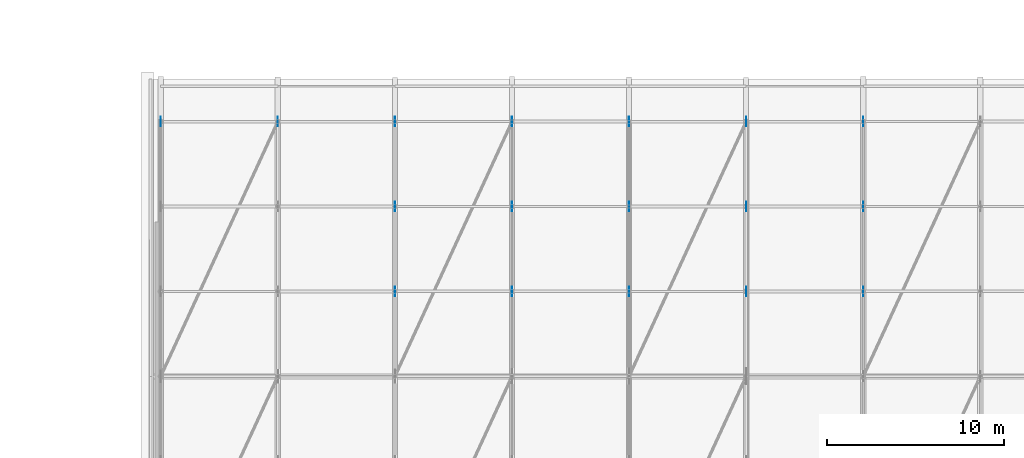
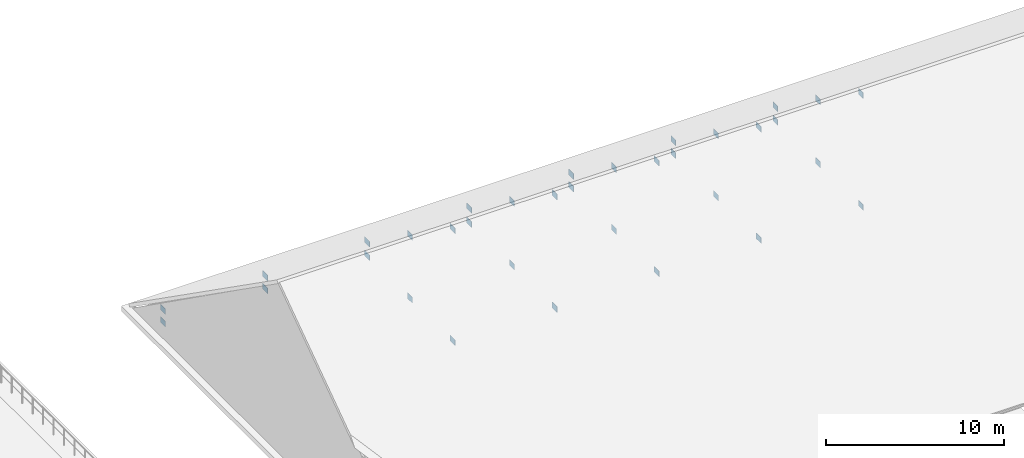
# One storey, part 110 of 134: 34 plates.
"""IFC4 building model written with IfcOpenShell, lengths in metres."""

from ifc_helpers import new_model, si_unit, direction, frame, origin, origin_2d, place, context, subcontext, project, spatial, rectangle, extrude, material, layer, layer_set, type_object, element, save


model = new_model("IFC4")

# Units and contexts
model_context = context("Model", 3, precision=1e-05, world=origin(), true_north=direction((0.0, 1.0)))
body_context = subcontext(model_context, "Body", "Model", "MODEL_VIEW")
ifc_project = project(units=[si_unit("LENGTHUNIT", "METRE"), si_unit("AREAUNIT", "SQUARE_METRE"), si_unit("VOLUMEUNIT", "CUBIC_METRE"), si_unit("PLANEANGLEUNIT", "RADIAN"), si_unit("MASSUNIT", "GRAM", prefix="KILO")], contexts=[model_context])

# Site, building, storey
site_placement = place(None, origin())
site = spatial("IfcSite", under=ifc_project, at=site_placement, CompositionType="ELEMENT")
building_placement = place(site_placement, origin())
building = spatial("IfcBuilding", under=site, at=building_placement, Name="Asteropetra Specialist Clinic", CompositionType="ELEMENT")
storey_placement = place(building_placement, frame((0.0, 0.0, 8.5)))
storey = spatial("IfcBuildingStorey", under=building, at=storey_placement, Name="L02", CompositionType="ELEMENT", Elevation=8.5)

# Plates
ifc_material = material(Name="Steel S355", Category="steel")
ifc_layer = layer(ifc_material, 0.01806640625)
ifc_layer_set = layer_set([ifc_layer], Name="Steel S355")
plate_type = type_object("IfcPlateType", Name="PLT-GUS-08", PredefinedType="SHEET", material=ifc_layer_set)
for number, where, z_axis, x_axis, name in (
    (1, (86.89990234375, 105.60009765625, 0.295166015625), (0.0, 0.0, 1.0), (1.0, 0.0, 0.0), "Truss Bottom Chord Gusset GPB-V101-6"),
    (2, (86.89990234375, 105.60009765625, 1.146728515625), (0.0, 0.0, 1.0), (1.0, 0.0, 0.0), "Truss Top Chord Gusset GPT-V101-6"),
    (3, (93.52001953125, 105.60009765625, 0.27001953125), (0.0, 0.0, 1.0), (1.0, 0.0, 0.0), "Truss Bottom Chord Gusset GPB-V102-6"),
    (4, (93.52001953125, 105.60009765625, 1.146728515625), (0.0, 0.0, 1.0), (1.0, 0.0, 0.0), "Truss Top Chord Gusset GPT-V102-6"),
    (5, (100.139892578125, 96.0, 0.219970703125), (0.0, 0.0, 1.0), (1.0, 0.0, 0.0), "Truss Bottom Chord Gusset GPB-V103-4"),
    (6, (100.139892578125, 96.0, 7.8896484375), (0.0, 0.0, 1.0), (1.0, 0.0, 0.0), "Truss Top Chord Gusset GPT-V103-4"),
    (7, (100.139892578125, 100.800048828125, 0.219970703125), (0.0, 0.0, 1.0), (1.0, 0.0, 0.0), "Truss Bottom Chord Gusset GPB-V103-5"),
    (8, (100.139892578125, 100.800048828125, 4.51806640625), (0.0, 0.0, 1.0), (1.0, 0.0, 0.0), "Truss Top Chord Gusset GPT-V103-5"),
    (9, (100.139892578125, 105.60009765625, 0.219970703125), (0.0, 0.0, 1.0), (1.0, 0.0, 0.0), "Truss Bottom Chord Gusset GPB-V103-6"),
    (10, (100.139892578125, 105.60009765625, 1.146728515625), (0.0, 0.0, 1.0), (1.0, 0.0, 0.0), "Truss Top Chord Gusset GPT-V103-6"),
    (11, (106.760009765625, 96.0, 0.170166015625), (0.0, 0.0, 1.0), (1.0, 0.0, 0.0), "Truss Bottom Chord Gusset GPB-V104-4"),
    (12, (106.760009765625, 96.0, 7.8896484375), (0.0, 0.0, 1.0), (1.0, 0.0, 0.0), "Truss Top Chord Gusset GPT-V104-4"),
    (13, (106.760009765625, 100.800048828125, 0.170166015625), (0.0, 0.0, 1.0), (1.0, 0.0, 0.0), "Truss Bottom Chord Gusset GPB-V104-5"),
    (14, (106.760009765625, 100.800048828125, 4.51806640625), (0.0, 0.0, 1.0), (1.0, 0.0, 0.0), "Truss Top Chord Gusset GPT-V104-5"),
    (15, (106.760009765625, 105.60009765625, 0.170166015625), (0.0, 0.0, 1.0), (1.0, 0.0, 0.0), "Truss Bottom Chord Gusset GPB-V104-6"),
    (16, (106.760009765625, 105.60009765625, 1.146728515625), (0.0, 0.0, 1.0), (1.0, 0.0, 0.0), "Truss Top Chord Gusset GPT-V104-6"),
    (17, (113.3798828125, 96.0, 0.295166015625), (0.0, 0.0, 1.0), (1.0, 0.0, 0.0), "Truss Bottom Chord Gusset GPB-V105-4"),
    (18, (113.3798828125, 96.0, 7.8896484375), (0.0, 0.0, 1.0), (1.0, 0.0, 0.0), "Truss Top Chord Gusset GPT-V105-4"),
    (19, (113.3798828125, 100.800048828125, 0.295166015625), (0.0, 0.0, 1.0), (1.0, 0.0, 0.0), "Truss Bottom Chord Gusset GPB-V105-5"),
    (20, (113.3798828125, 100.800048828125, 4.51806640625), (0.0, 0.0, 1.0), (1.0, 0.0, 0.0), "Truss Top Chord Gusset GPT-V105-5"),
    (21, (113.3798828125, 105.60009765625, 0.295166015625), (0.0, 0.0, 1.0), (1.0, 0.0, 0.0), "Truss Bottom Chord Gusset GPB-V105-6"),
    (22, (113.3798828125, 105.60009765625, 1.146728515625), (0.0, 0.0, 1.0), (1.0, 0.0, 0.0), "Truss Top Chord Gusset GPT-V105-6"),
    (23, (120.0, 96.0, 0.27001953125), (0.0, 0.0, 1.0), (1.0, 0.0, 0.0), "Truss Bottom Chord Gusset GPB-V106-4"),
    (24, (120.0, 96.0, 7.8896484375), (0.0, 0.0, 1.0), (1.0, 0.0, 0.0), "Truss Top Chord Gusset GPT-V106-4"),
    (25, (120.0, 100.800048828125, 0.27001953125), (0.0, 0.0, 1.0), (1.0, 0.0, 0.0), "Truss Bottom Chord Gusset GPB-V106-5"),
    (26, (120.0, 100.800048828125, 4.51806640625), (0.0, 0.0, 1.0), (1.0, 0.0, 0.0), "Truss Top Chord Gusset GPT-V106-5"),
    (27, (120.0, 105.60009765625, 0.27001953125), (0.0, 0.0, 1.0), (1.0, 0.0, 0.0), "Truss Bottom Chord Gusset GPB-V106-6"),
    (28, (120.0, 105.60009765625, 1.146728515625), (0.0, 0.0, 1.0), (1.0, 0.0, 0.0), "Truss Top Chord Gusset GPT-V106-6"),
    (29, (126.6201171875, 96.0, 0.219970703125), (0.0, 0.0, 1.0), (1.0, 0.0, 0.0), "Truss Bottom Chord Gusset GPB-V107-4"),
    (30, (126.6201171875, 96.0, 7.8896484375), (0.0, 0.0, 1.0), (1.0, 0.0, 0.0), "Truss Top Chord Gusset GPT-V107-4"),
    (31, (126.6201171875, 100.800048828125, 0.219970703125), (0.0, 0.0, 1.0), (1.0, 0.0, 0.0), "Truss Bottom Chord Gusset GPB-V107-5"),
    (32, (126.6201171875, 100.800048828125, 4.51806640625), (0.0, 0.0, 1.0), (1.0, 0.0, 0.0), "Truss Top Chord Gusset GPT-V107-5"),
    (33, (126.6201171875, 105.60009765625, 0.219970703125), (0.0, 0.0, 1.0), (1.0, 0.0, 0.0), "Truss Bottom Chord Gusset GPB-V107-6"),
    (34, (126.6201171875, 105.60009765625, 1.146728515625), (0.0, 0.0, 1.0), (1.0, 0.0, 0.0), "Truss Top Chord Gusset GPT-V107-6"),
):
    element("IfcPlate", number, at=place(storey_placement, frame(where, z_axis=z_axis, x_axis=x_axis)), inside=storey, type_object=plate_type, Name=name, PredefinedType="SHEET", context=body_context, shape_type="SweptSolid", body=[
        extrude(rectangle(XDim=0.01806640625, YDim=0.550048828125, at=origin_2d()), origin(), (0.0, 0.0, 1.0), 0.39990234375),
    ])

save(model, "model.ifc")
